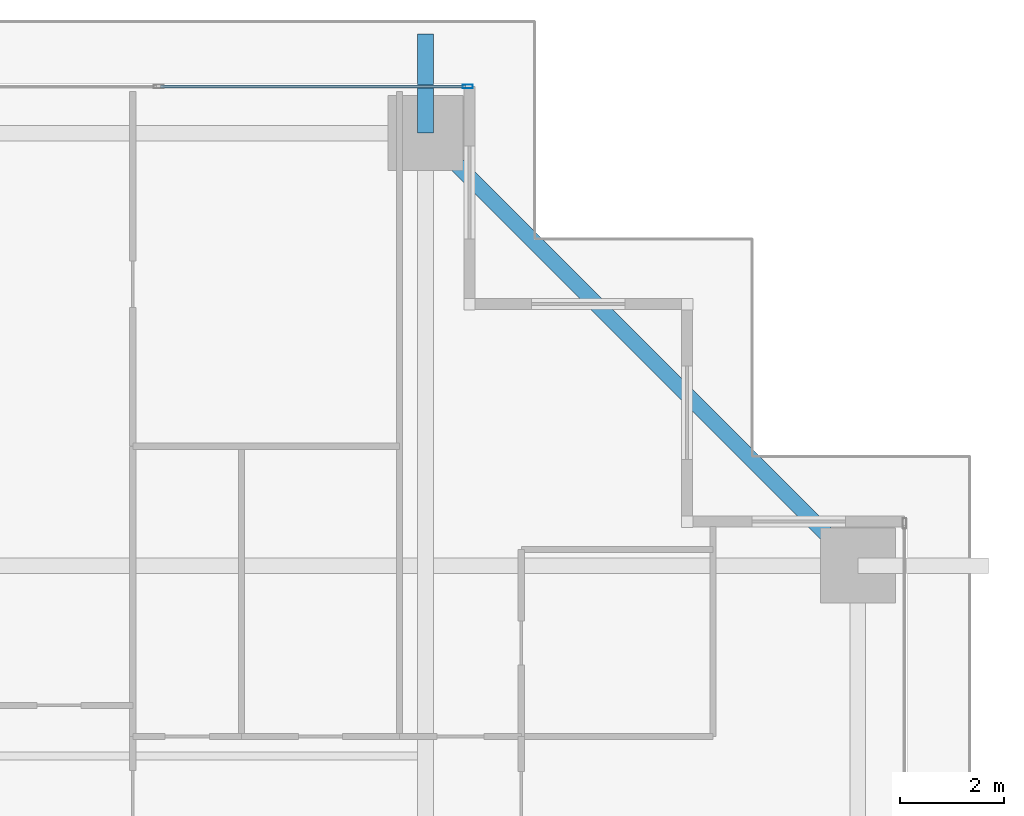
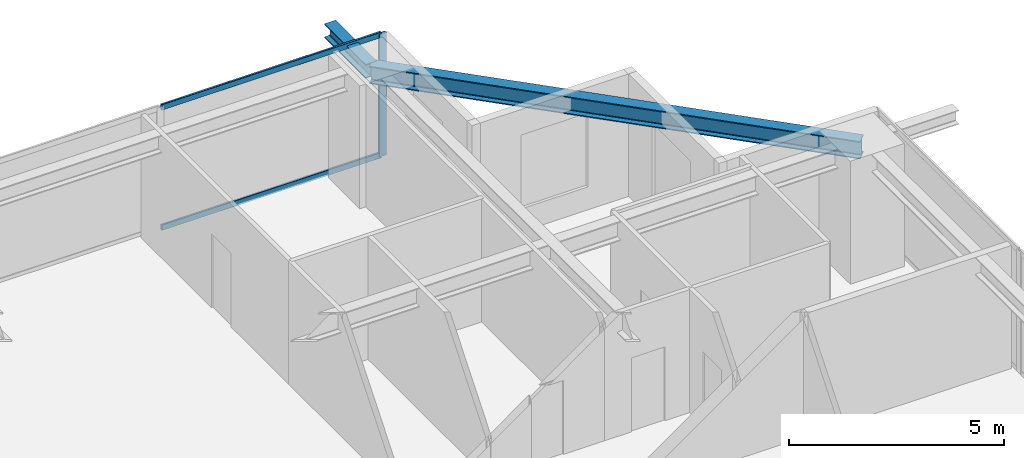
# One storey, part 24 of 39: 3 members, 2 beams, 1 element without a shape of its own.
"""IFC4 building model written with IfcOpenShell, lengths in metres."""

from ifc_helpers import new_model, si_unit, direction, frame, origin, origin_2d, place, context, subcontext, project, spatial, hollow_rectangle, i_section, extrude, source, transform, mapped, material, layer, layer_set, material_profile, profile_set, type_object, element, aggregate, save


model = new_model("IFC4")

# Units and contexts
model_context = context("Model", 3, precision=1e-05, world=origin(), true_north=direction((0.0, 1.0)))
body_context = subcontext(model_context, "Body", "Model", "MODEL_VIEW")
ifc_project = project(units=[si_unit("LENGTHUNIT", "METRE"), si_unit("AREAUNIT", "SQUARE_METRE"), si_unit("VOLUMEUNIT", "CUBIC_METRE"), si_unit("PLANEANGLEUNIT", "RADIAN"), si_unit("MASSUNIT", "GRAM", prefix="KILO")], contexts=[model_context])

# Site, building, storey
site_placement = place(None, origin())
site = spatial("IfcSite", under=ifc_project, at=site_placement, CompositionType="ELEMENT")
building_placement = place(site_placement, origin())
building = spatial("IfcBuilding", under=site, at=building_placement, Name="Serunith Strait Residences", CompositionType="ELEMENT")
storey_placement = place(building_placement, frame((0.0, 0.0, 60.449951171875)))
storey = spatial("IfcBuildingStorey", under=building, at=storey_placement, Name="L14", CompositionType="ELEMENT", Elevation=60.449951171875)

# Beams
ifc_material_1 = material(Name="Steel S355J2", Category="steel")
ifc_material_profile_1 = material_profile(ifc_material_1, i_section(OverallWidth=0.300048828125, OverallDepth=0.5, WebThickness=0.014404296875, FlangeThickness=0.028076171875, FilletRadius=0.027099609375, at=origin_2d()), Name="HEB 500")
ifc_profile_set_1 = profile_set([ifc_material_profile_1], Name="Steel S355J2")
beam_type_1 = type_object("IfcBeamType", Name="BM-HEB500", PredefinedType="BEAM", material=ifc_profile_set_1)
shared_shape_1 = source(origin(), body_context, "Body", "SweptSolid", [
    extrude(i_section(OverallWidth=0.300048828125, OverallDepth=0.5, WebThickness=0.014404296875, FlangeThickness=0.028076171875, FilletRadius=0.027099609375, at=origin_2d()), origin(), (0.0, 0.0, 1.0), 11.80859375),
])
beam_1_placement = place(storey_placement, frame((57.89990234375, 40.949951171875, 3.20703125), z_axis=(-0.707096443746, 0.707117118476, 0.0), x_axis=(-0.707117118476, -0.707096443746, 0.0)))
element("IfcBeam", 1, at=beam_1_placement, inside=storey, type_object=beam_type_1, Name="L14 Perimeter Ring Beam 08", PredefinedType="BEAM", context=body_context, shape_type="MappedRepresentation", body=[
    mapped(shared_shape_1, transform((0.0, 0.0, 0.0), scale=1.0)),
])
ifc_material_profile_2 = material_profile(ifc_material_1, i_section(OverallWidth=0.300048828125, OverallDepth=0.39990234375, WebThickness=0.013427734375, FlangeThickness=0.02392578125, FilletRadius=0.027099609375, at=origin_2d()), Name="HEB 400")
ifc_profile_set_2 = profile_set([ifc_material_profile_2], Name="Steel S355J2")
beam_type_2 = type_object("IfcBeamType", Name="BM-HEB400", PredefinedType="BEAM", material=ifc_profile_set_2)
shared_shape_2 = source(origin(), body_context, "Body", "SweptSolid", [
    extrude(i_section(OverallWidth=0.300048828125, OverallDepth=0.39990234375, WebThickness=0.013427734375, FlangeThickness=0.02392578125, FilletRadius=0.027099609375, at=origin_2d()), origin(), (0.0, 0.0, 1.0), 1.909912109375),
])
beam_2_placement = place(storey_placement, frame((49.550048828125, 49.300048828125, 3.257080078125), z_axis=(0.0, 1.0, 0.0), x_axis=(-1.0, 0.0, 0.0)))
element("IfcBeam", 2, at=beam_2_placement, inside=storey, type_object=beam_type_2, Name="L15 Cantilevered Balcony Rib TC-N4", PredefinedType="BEAM", context=body_context, shape_type="MappedRepresentation", body=[
    mapped(shared_shape_2, transform((0.0, 0.0, 0.0), scale=1.0)),
])

# Curtain wall, members
ifc_material_2 = material(Name="Pale-Champagne Anodised Aluminium", Category="aluminium")
ifc_layer = layer(ifc_material_2, 0.199951171875, Name="Pale-Champagne Anodised Aluminium")
ifc_layer_set = layer_set([ifc_layer], Name="Pale-Champagne Anodised Aluminium")
curtain_wall_type = type_object("IfcCurtainWallType", Name="CW-SYS1", PredefinedType="NOTDEFINED", material=ifc_layer_set)
curtain_wall_placement = place(storey_placement, origin())
curtain_wall = element("IfcCurtainWall", 3, at=curtain_wall_placement, inside=storey, type_object=curtain_wall_type, Name="L14 N Unitised Fritted Curtain Wall", PredefinedType="NOTDEFINED")
ifc_material_profile_3 = material_profile(ifc_material_2, hollow_rectangle(XDim=0.070068359375, YDim=0.199951171875, WallThickness=0.00390625, InnerFilletRadius=0.006103515625, OuterFilletRadius=0.010009765625, at=origin_2d()), Name="ALU 200x70x4")
ifc_profile_set_3 = profile_set([ifc_material_profile_3], Name="Pale-Champagne Anodised Aluminium")
member_type_1 = type_object("IfcMemberType", Name="CW-SYS1-MULL", PredefinedType="MULLION", material=ifc_profile_set_3)
shared_shape_3 = source(origin(), body_context, "Body", "SweptSolid", [
    extrude(hollow_rectangle(XDim=0.070068359375, YDim=0.199951171875, WallThickness=0.00390625, InnerFilletRadius=0.006103515625, OuterFilletRadius=0.010009765625, at=origin_2d()), origin(), (0.0, 0.0, 1.0), 3.47509765625),
])
member_1_placement = place(storey_placement, frame((50.364990234375, 50.199951171875, 0.0), z_axis=(0.0, 0.0, 1.0), x_axis=(0.0, -1.0, 0.0)))
member_1 = element("IfcMember", 4, at=member_1_placement, type_object=member_type_1, Name="CW-1 mullion 1", PredefinedType="MULLION", context=body_context, shape_type="MappedRepresentation", body=[
    mapped(shared_shape_3, transform((0.0, 0.0, 0.0), scale=1.0)),
])
ifc_material_profile_4 = material_profile(ifc_material_2, hollow_rectangle(XDim=0.06005859375, YDim=0.159912109375, WallThickness=0.00341796875, InnerFilletRadius=0.00537109375, OuterFilletRadius=0.0087890625, at=origin_2d()), Name="ALU 160x60x3.5")
ifc_profile_set_4 = profile_set([ifc_material_profile_4], Name="Pale-Champagne Anodised Aluminium")
member_type_2 = type_object("IfcMemberType", Name="CW-SYS1-TRAN", PredefinedType="USERDEFINED", material=ifc_profile_set_4)
shared_shape_4 = source(origin(), body_context, "Body", "SweptSolid", [
    extrude(hollow_rectangle(XDim=0.06005859375, YDim=0.159912109375, WallThickness=0.00341796875, InnerFilletRadius=0.00537109375, OuterFilletRadius=0.0087890625, at=origin_2d()), origin(), (0.0, 0.0, 1.0), 5.89501953125),
])
member_2_placement = place(storey_placement, frame((50.330078125, 50.199951171875, 0.030029296875), z_axis=(-1.0, 0.0, 0.0), x_axis=(0.0, -1.0, 0.0)))
member_2 = element("IfcMember", 5, at=member_2_placement, type_object=member_type_2, Name="CW-1 transom 1.1", ObjectType="TRANSOM", PredefinedType="USERDEFINED", context=body_context, shape_type="MappedRepresentation", body=[
    mapped(shared_shape_4, transform((0.0, 0.0, 0.0), scale=1.0)),
])
member_3_placement = place(storey_placement, frame((50.330078125, 50.199951171875, 3.445068359375), z_axis=(-1.0, 0.0, 0.0), x_axis=(0.0, -1.0, 0.0)))
member_3 = element("IfcMember", 6, at=member_3_placement, type_object=member_type_2, Name="CW-1 transom 1.2", ObjectType="TRANSOM", PredefinedType="USERDEFINED", context=body_context, shape_type="MappedRepresentation", body=[
    mapped(shared_shape_4, transform((0.0, 0.0, 0.0), scale=1.0)),
])
aggregate(curtain_wall, [member_1, member_2, member_3])

save(model, "model.ifc")
